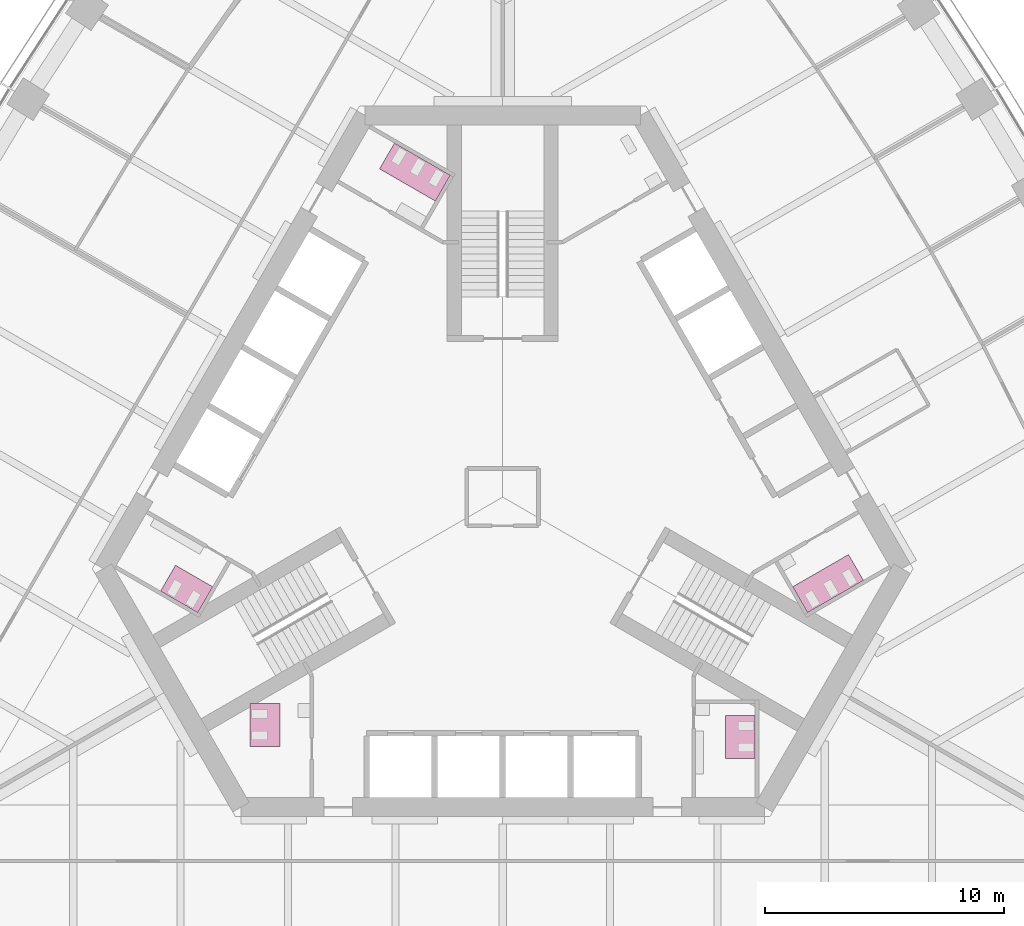
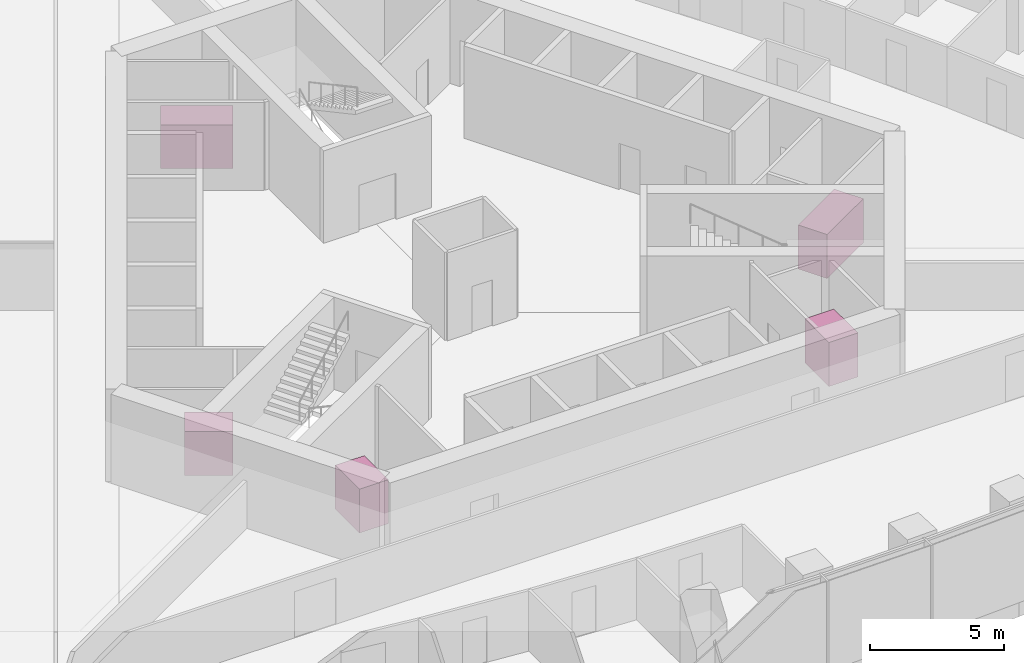
# One storey, part 19 of 19: 5 furniture elements.
"""IFC4 building model written with IfcOpenShell, lengths in metres."""

from ifc_helpers import new_model, si_unit, direction, frame, origin, place, context, subcontext, project, spatial, polyline, outline, extrude, material, type_object, element, save


model = new_model("IFC4")

# Units and contexts
model_context = context("Model", 3, precision=1e-05, world=origin(), true_north=direction((0.0, 1.0)))
body_context = subcontext(model_context, "Body", "Model", "MODEL_VIEW")
ifc_project = project(units=[si_unit("LENGTHUNIT", "METRE"), si_unit("AREAUNIT", "SQUARE_METRE"), si_unit("VOLUMEUNIT", "CUBIC_METRE"), si_unit("PLANEANGLEUNIT", "RADIAN"), si_unit("MASSUNIT", "GRAM", prefix="KILO")], contexts=[model_context])

# Site, building, storey
site_placement = place(None, origin())
site = spatial("IfcSite", under=ifc_project, at=site_placement, CompositionType="ELEMENT")
building_placement = place(site_placement, origin())
building = spatial("IfcBuilding", under=site, at=building_placement, Name="Trefoil Bronze Tower", CompositionType="ELEMENT")
storey_placement = place(building_placement, frame((0.0, 0.0, 136.699951171875)))
storey = spatial("IfcBuildingStorey", under=building, at=storey_placement, Name="L31", CompositionType="ELEMENT", Elevation=136.699951171875)

# Furniture
ifc_material_1 = material(Name="Compact laminate cubicles", Category="plastic")
furniture_type_1 = type_object("IfcFurnitureType", Name="WC cubicle range 2 cubicles", AssemblyPlace="FACTORY", PredefinedType="USERDEFINED", material=ifc_material_1)
furniture_1_placement = place(storey_placement, origin())
element("IfcFurniture", 1, at=furniture_1_placement, inside=storey, type_object=furniture_type_1, Name="WC cubicle range WC (men) L31", ObjectType="WC cubicle range", PredefinedType="USERDEFINED", context=body_context, shape_type="SweptSolid", body=[
    extrude(outline(polyline([(9.3349609375, -9.14990234375), (10.5849609375, -9.14990234375), (10.5849609375, -10.949951171875), (9.3349609375, -10.949951171875), (9.3349609375, -9.14990234375)])), origin(), (0.0, 0.0, 1.0), 2.0),
])
furniture_2_placement = place(storey_placement, origin())
element("IfcFurniture", 2, at=furniture_2_placement, inside=storey, type_object=furniture_type_1, Name="WC cubicle range WC (men) L31", ObjectType="WC cubicle range", PredefinedType="USERDEFINED", context=body_context, shape_type="SweptSolid", body=[
    extrude(outline(polyline([(-12.15869140625, -3.75927734375), (-12.78369140625, -4.841796875), (-14.342529296875, -3.94189453125), (-13.717529296875, -2.859375), (-12.15869140625, -3.75927734375)])), origin(), (0.0, 0.0, 1.0), 2.0),
])
furniture_3_placement = place(storey_placement, origin())
element("IfcFurniture", 3, at=furniture_3_placement, inside=storey, type_object=furniture_type_1, Name="WC cubicle range WC (women) L31", ObjectType="WC cubicle range", PredefinedType="USERDEFINED", context=body_context, shape_type="SweptSolid", body=[
    extrude(outline(polyline([(-9.3349609375, -8.64990234375), (-10.5849609375, -8.64990234375), (-10.5849609375, -10.449951171875), (-9.3349609375, -10.449951171875), (-9.3349609375, -8.64990234375)])), origin(), (0.0, 0.0, 1.0), 2.0),
])
ifc_material_2 = material(Name="Compact laminate cubicles", Category="plastic")
furniture_type_2 = type_object("IfcFurnitureType", Name="WC cubicle range 3 cubicles", AssemblyPlace="FACTORY", PredefinedType="USERDEFINED", material=ifc_material_2)
furniture_4_placement = place(storey_placement, origin())
element("IfcFurniture", 4, at=furniture_4_placement, inside=storey, type_object=furniture_type_2, Name="WC cubicle range WC (women) L31", ObjectType="WC cubicle range", PredefinedType="USERDEFINED", context=body_context, shape_type="SweptSolid", body=[
    extrude(outline(polyline([(12.15869140625, -3.75927734375), (12.78369140625, -4.841796875), (15.121826171875, -3.491943359375), (14.496826171875, -2.409423828125), (12.15869140625, -3.75927734375)])), origin(), (0.0, 0.0, 1.0), 2.0),
])
furniture_5_placement = place(storey_placement, origin())
element("IfcFurniture", 5, at=furniture_5_placement, inside=storey, type_object=furniture_type_2, Name="WC cubicle range WC (women) L31", ObjectType="WC cubicle range", PredefinedType="USERDEFINED", context=body_context, shape_type="SweptSolid", body=[
    extrude(outline(polyline([(-2.82373046875, 12.409423828125), (-2.19873046875, 13.491943359375), (-4.536865234375, 14.841796875), (-5.161865234375, 13.75927734375), (-2.82373046875, 12.409423828125)])), origin(), (0.0, 0.0, 1.0), 2.0),
])

save(model, "model.ifc")
